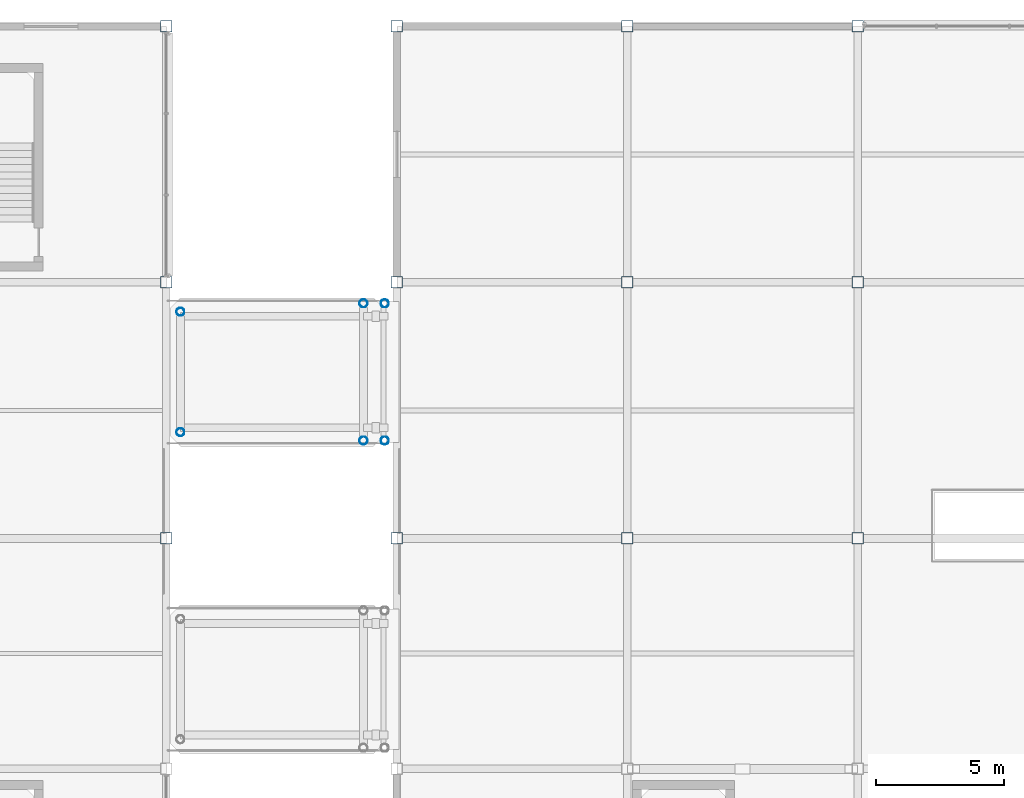
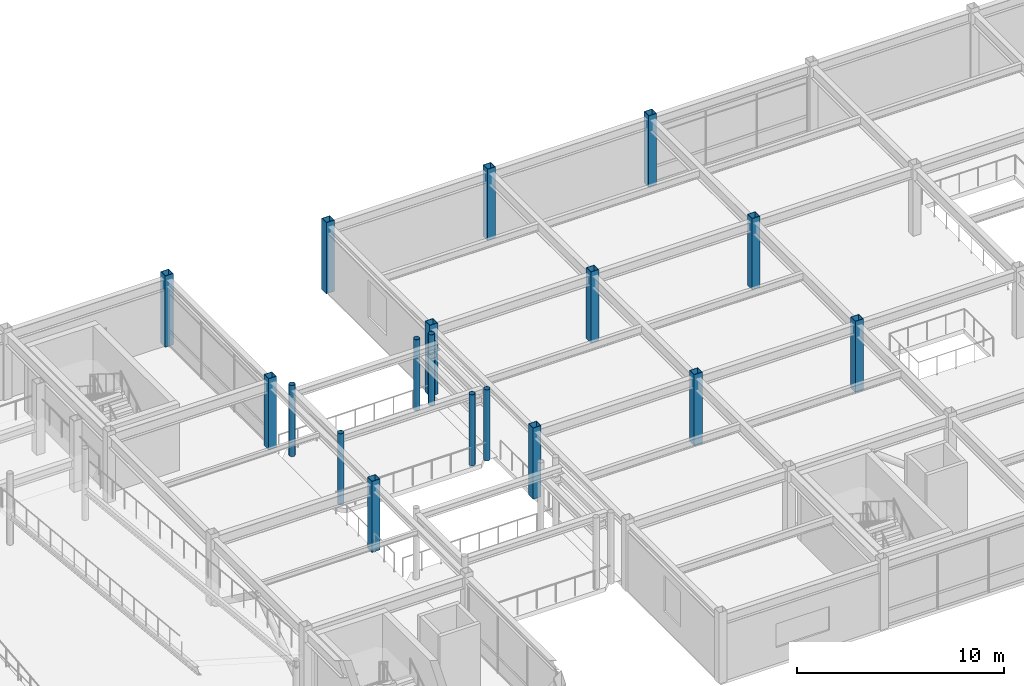
# One storey, part 11 of 105: 18 columns.
"""IFC4 building model written with IfcOpenShell, lengths in metres."""

from ifc_helpers import new_model, si_unit, direction, frame, origin, origin_2d, place, context, subcontext, project, spatial, hollow_rectangle, hollow_circle, extrude, material, material_profile, profile_set, type_object, element, save


model = new_model("IFC4")

# Units and contexts
model_context = context("Model", 3, precision=1e-05, world=origin(), true_north=direction((0.0, 1.0)))
body_context = subcontext(model_context, "Body", "Model", "MODEL_VIEW")
ifc_project = project(units=[si_unit("LENGTHUNIT", "METRE"), si_unit("AREAUNIT", "SQUARE_METRE"), si_unit("VOLUMEUNIT", "CUBIC_METRE"), si_unit("PLANEANGLEUNIT", "RADIAN"), si_unit("MASSUNIT", "GRAM", prefix="KILO")], contexts=[model_context])

# Site, building, storey
site_placement = place(None, origin())
site = spatial("IfcSite", under=ifc_project, at=site_placement, CompositionType="ELEMENT")
building_placement = place(site_placement, origin())
building = spatial("IfcBuilding", under=site, at=building_placement, Name="Suzunagisa Mobility Hub", CompositionType="ELEMENT")
storey_placement = place(building_placement, frame((0.0, 0.0, 5.10009765625)))
storey = spatial("IfcBuildingStorey", under=building, at=storey_placement, Name="L01", CompositionType="ELEMENT", Elevation=5.10009765625)

# Columns
ifc_material = material(Name="Steel SN490B", Category="steel")
ifc_material_profile_1 = material_profile(ifc_material, hollow_circle(Radius=0.1591796875, WallThickness=0.01025390625, at=origin_2d()), Name="CHS-318.5x10.3")
ifc_profile_set_1 = profile_set([ifc_material_profile_1], Name="Steel SN490B")
column_type_1 = type_object("IfcColumnType", Name="Steel Column CL-09 CHS-318.5x10.3", PredefinedType="COLUMN", material=ifc_profile_set_1)
for number, where, z_axis, x_axis, name in (
    (1, (36.550048828125, 102.14990234375, 0.0), (0.0, 0.0, 1.0), (1.0, 0.0, 0.0), "L01 Column 94"),
    (2, (36.550048828125, 106.85009765625, 0.0), (0.0, 0.0, 1.0), (1.0, 0.0, 0.0), "L01 Column 95"),
    (3, (43.699951171875, 101.820068359375, 0.0), (0.0, 0.0, 1.0), (1.0, 0.0, 0.0), "L01 Column 107"),
    (4, (43.699951171875, 107.179931640625, 0.0), (0.0, 0.0, 1.0), (1.0, 0.0, 0.0), "L01 Column 108"),
    (5, (44.530029296875, 101.820068359375, 0.0), (0.0, 0.0, 1.0), (1.0, 0.0, 0.0), "L01 Column 113"),
    (6, (44.530029296875, 107.179931640625, 0.0), (0.0, 0.0, 1.0), (1.0, 0.0, 0.0), "L01 Column 114"),
):
    element("IfcColumn", number, at=place(storey_placement, frame(where, z_axis=z_axis, x_axis=x_axis)), inside=storey, type_object=column_type_1, Name=name, PredefinedType="COLUMN", context=body_context, shape_type="SweptSolid", body=[
        extrude(hollow_circle(Radius=0.1591796875, WallThickness=0.01025390625, at=origin_2d()), origin(), (0.0, 0.0, 1.0), 4.199951171875),
    ])
ifc_material_profile_2 = material_profile(ifc_material, hollow_rectangle(XDim=0.449951171875, YDim=0.449951171875, WallThickness=0.02197265625, at=origin_2d()), Name="BCR-450x450x22")
ifc_profile_set_2 = profile_set([ifc_material_profile_2], Name="Steel SN490B")
column_type_2 = type_object("IfcColumnType", Name="Steel Column CL-17 BCR-450x450x22", PredefinedType="COLUMN", material=ifc_profile_set_2)
for number, where, z_axis, x_axis, name in (
    (7, (36.0, 98.0, 0.0), (0.0, 0.0, 1.0), (1.0, 0.0, 0.0), "L01 Column 87"),
    (8, (36.0, 108.0, 0.0), (0.0, 0.0, 1.0), (1.0, 0.0, 0.0), "L01 Column 88"),
    (9, (36.0, 118.0, 0.0), (0.0, 0.0, 1.0), (1.0, 0.0, 0.0), "L01 Column 89"),
    (10, (45.0, 98.0, 0.0), (0.0, 0.0, 1.0), (1.0, 0.0, 0.0), "L01 Column 120"),
    (11, (45.0, 108.0, 0.0), (0.0, 0.0, 1.0), (1.0, 0.0, 0.0), "L01 Column 121"),
    (12, (45.0, 118.0, 0.0), (0.0, 0.0, 1.0), (1.0, 0.0, 0.0), "L01 Column 122"),
    (13, (54.0, 98.0, 0.0), (0.0, 0.0, 1.0), (1.0, 0.0, 0.0), "L01 Column 131"),
    (14, (54.0, 108.0, 0.0), (0.0, 0.0, 1.0), (1.0, 0.0, 0.0), "L01 Column 132"),
    (15, (54.0, 118.0, 0.0), (0.0, 0.0, 1.0), (1.0, 0.0, 0.0), "L01 Column 133"),
    (16, (63.0, 98.0, 0.0), (0.0, 0.0, 1.0), (1.0, 0.0, 0.0), "L01 Column 140"),
    (17, (63.0, 108.0, 0.0), (0.0, 0.0, 1.0), (1.0, 0.0, 0.0), "L01 Column 141"),
    (18, (63.0, 118.0, 0.0), (0.0, 0.0, 1.0), (1.0, 0.0, 0.0), "L01 Column 142"),
):
    element("IfcColumn", number, at=place(storey_placement, frame(where, z_axis=z_axis, x_axis=x_axis)), inside=storey, type_object=column_type_2, Name=name, PredefinedType="COLUMN", context=body_context, shape_type="SweptSolid", body=[
        extrude(hollow_rectangle(XDim=0.449951171875, YDim=0.449951171875, WallThickness=0.02197265625, at=origin_2d()), origin(), (0.0, 0.0, 1.0), 4.199951171875),
    ])

save(model, "model.ifc")
